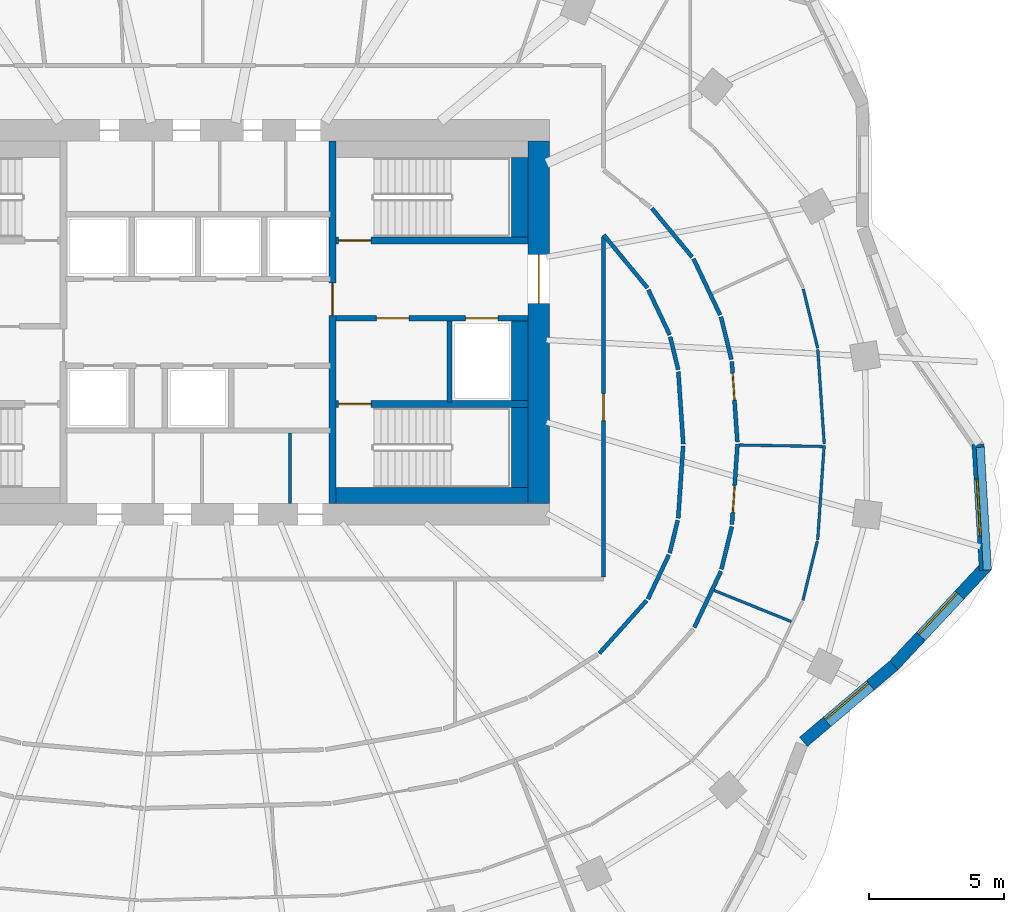
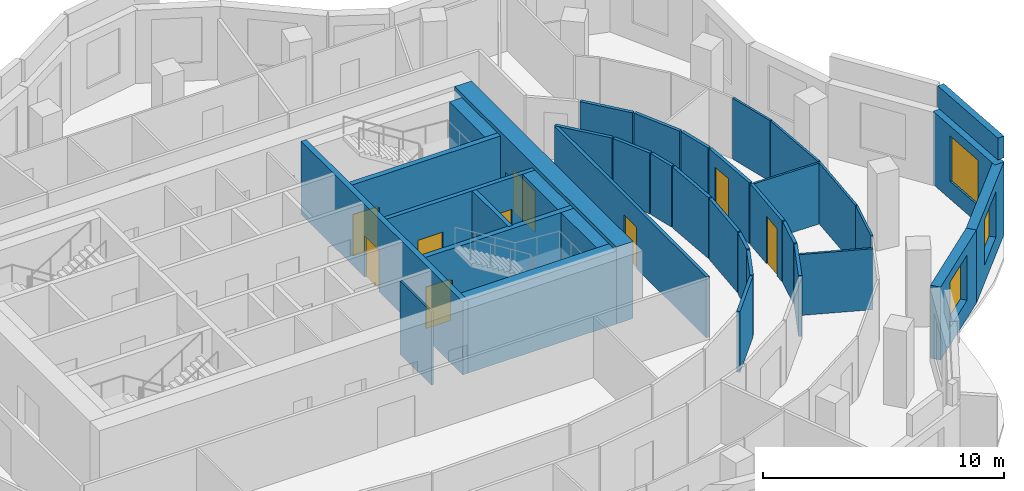
# One storey, part 8 of 13: 37 walls, 9 doors, 3 windows, 12 openings.
"""IFC4 building model written with IfcOpenShell, lengths in metres."""

import ifcopenshell
import ifcopenshell.guid

model = None  # the IFC model being written
_history = None  # IfcOwnerHistory: only IFC2X3 demands one
_inside = {}  # id of a spatial element -> (the spatial element, [elements in it])
_under = {}  # id of a project, library or spatial element -> (it, [spatial elements below it])
_declared = {}  # id of a project -> (the project, [libraries it declares])
_typed = {}  # id of a type object -> (the type object, [elements of that type])
_made_of = {}  # id of a material, layer set ... -> (it, [elements and type objects made of it])


def new_model(schema):
    """Start an empty IFC model of exactly this schema.

    Asked for "IFC4X3", IfcOpenShell would pick the latest addendum, in which some entities
    have other attributes; the version numbers below select the first issue.
    IFC2X3 requires an IfcOwnerHistory on every rooted entity: one is made here for all.
    """
    global model, _history
    if schema == "IFC4X3":
        model = ifcopenshell.file(schema_version=(4, 3, 0, 0))
    else:
        model = ifcopenshell.file(schema=schema)
    _inside.clear()
    _under.clear()
    _declared.clear()
    _typed.clear()
    _made_of.clear()
    _history = None
    if model.schema == "IFC2X3":
        org = make("IfcOrganization", Name="unknown")
        user = make(
            "IfcPersonAndOrganization",
            ThePerson=make("IfcPerson", FamilyName="unknown"),
            TheOrganization=org,
        )
        app = make(
            "IfcApplication",
            ApplicationDeveloper=org,
            Version="unknown",
            ApplicationFullName="unknown",
            ApplicationIdentifier="unknown",
        )
        _history = make(
            "IfcOwnerHistory",
            OwningUser=user,
            OwningApplication=app,
            ChangeAction="ADDED",
            CreationDate=0,
        )
    return model


def make(cls, **values):
    """One entity of the class cls with the attributes given. An attribute that is None is left unset."""
    return model.create_entity(
        cls, **{name: value for name, value in values.items() if value is not None}
    )


def rooted(cls, **values):
    """An entity with a GlobalId (a new one), such as an element, a storey or a relation."""
    return make(cls, GlobalId=ifcopenshell.guid.new(), OwnerHistory=_history, **values)


def si_unit(unit_type, name, prefix=None):
    """IfcSIUnit, for example si_unit("LENGTHUNIT", "METRE", prefix="MILLI")."""
    return make("IfcSIUnit", UnitType=unit_type, Prefix=prefix, Name=name)


def assignment(units):
    """IfcUnitAssignment: the units of a project."""
    return None if units is None else make("IfcUnitAssignment", Units=units)


def point(xyz):
    """IfcCartesianPoint."""
    return None if xyz is None else make("IfcCartesianPoint", Coordinates=xyz)


def direction(xyz):
    """IfcDirection."""
    return None if xyz is None else make("IfcDirection", DirectionRatios=xyz)


def frame(location, z_axis=None, x_axis=None):
    """IfcAxis2Placement3D, a coordinate frame: its origin and axes. An axis left out is left unset."""
    return make(
        "IfcAxis2Placement3D",
        Location=point(location),
        Axis=direction(z_axis),
        RefDirection=direction(x_axis),
    )


def frame_2d(location, x_axis=None):
    """IfcAxis2Placement2D, a coordinate frame in the plane: its origin and x axis."""
    return make(
        "IfcAxis2Placement2D", Location=point(location), RefDirection=direction(x_axis)
    )


def origin():
    """The frame at (0, 0, 0) with its axes left unset."""
    return frame((0.0, 0.0, 0.0))


def place(relative_to, where):
    """IfcLocalPlacement: puts the frame where relative to a parent placement (None: the world)."""
    return make(
        "IfcLocalPlacement", PlacementRelTo=relative_to, RelativePlacement=where
    )


def context(
    kind, dimensions, precision=None, world=None, true_north=None, identifier=None
):
    """IfcGeometricRepresentationContext, for example the 3D "Model" context."""
    return make(
        "IfcGeometricRepresentationContext",
        ContextIdentifier=identifier,
        ContextType=kind,
        CoordinateSpaceDimension=dimensions,
        Precision=precision,
        WorldCoordinateSystem=world,
        TrueNorth=true_north,
    )


def subcontext(parent, identifier, kind, view, scale=None):
    """IfcGeometricRepresentationSubContext, for example "Body" below "Model"."""
    return make(
        "IfcGeometricRepresentationSubContext",
        ContextIdentifier=identifier,
        ContextType=kind,
        ParentContext=parent,
        TargetScale=scale,
        TargetView=view,
    )


def project(units=None, contexts=None):
    """IfcProject with its units and contexts."""
    return rooted(
        "IfcProject",
        Name="project",
        RepresentationContexts=contexts,
        UnitsInContext=assignment(units),
    )


def spatial(cls, under=None, at=None, **own):
    """A site, building, storey or space (cls), placed at a placement, below another one or the project."""
    s = rooted(cls, ObjectPlacement=at, **own)
    if under is not None:
        _under.setdefault(under.id(), (under, []))[1].append(s)
    return s


def profile(cls, at=None, kind="AREA", **sizes):
    """A parametric profile (cls). Its sizes go by their IFC names, for example OverallWidth=200.0."""
    return make(cls, ProfileType=kind, Position=at, **sizes)


def rectangle(**sizes):
    """IfcRectangleProfileDef."""
    return profile("IfcRectangleProfileDef", **sizes)


def extrude(swept, where, along, depth):
    """IfcExtrudedAreaSolid: the profile swept, set in the frame where, extruded along a direction by depth."""
    return make(
        "IfcExtrudedAreaSolid",
        SweptArea=swept,
        Position=where,
        ExtrudedDirection=direction(along),
        Depth=depth,
    )


def shape(context_of_items, identifier, shape_type, items):
    """IfcShapeRepresentation: the items that make up one representation, for example the "Body"."""
    return make(
        "IfcShapeRepresentation",
        ContextOfItems=context_of_items,
        RepresentationIdentifier=identifier,
        RepresentationType=shape_type,
        Items=items,
    )


def material(Name=None, Category=None):
    """IfcMaterial."""
    return make("IfcMaterial", Name=Name, Category=Category)


def layer(
    of_material, thickness, ventilated=None, Name=None, Category=None, Priority=None
):
    """IfcMaterialLayer: one layer of a wall or slab, of a material (None: an air gap)."""
    return make(
        "IfcMaterialLayer",
        Material=of_material,
        LayerThickness=thickness,
        IsVentilated=ventilated,
        Name=Name,
        Category=Category,
        Priority=Priority,
    )


def layer_set(layers, Name=None):
    """IfcMaterialLayerSet."""
    return make("IfcMaterialLayerSet", MaterialLayers=layers, LayerSetName=Name)


def made_of(thing, what):
    """Note that an element or type object is made of a material, layer set ...; save() writes the relation."""
    if what is not None:
        _made_of.setdefault(what.id(), (what, []))[1].append(thing)
    return thing


def type_object(cls, material=None, **own):
    """A type object (cls), such as IfcWallType, which elements share."""
    return made_of(rooted(cls, **own), material)


def element(
    cls,
    number,
    at=None,
    inside=None,
    cuts=None,
    type_object=None,
    material=None,
    context=None,
    identifier="Body",
    shape_type=None,
    held_by="IfcProductDefinitionShape",
    body=None,
    shapes=None,
    **own,
):
    """One element of the class cls, such as IfcWall. Its Tag is "e" and its number.

    at: its placement. inside: the storey or other place that contains it. cuts: it is an
    opening in that element (IfcRelVoidsElement). A single representation is given by context,
    identifier, shape_type and body (its items); several are given by shapes. held_by: the class
    of the entity that holds the representations. save() writes the other relations.
    """
    e = rooted(cls, Tag="e%d" % number, ObjectPlacement=at, **own)
    if body is not None:
        shapes = [shape(context, identifier, shape_type, body)]
    if shapes is not None:
        e.Representation = make(held_by, Representations=shapes)
    if inside is not None:
        _inside.setdefault(inside.id(), (inside, []))[1].append(e)
    if cuts is not None:
        rooted(
            "IfcRelVoidsElement", RelatingBuildingElement=cuts, RelatedOpeningElement=e
        )
    if type_object is not None:
        _typed.setdefault(type_object.id(), (type_object, []))[1].append(e)
    return made_of(e, material)


def fill(opening, filler):
    """IfcRelFillsElement: the door or window that sits in an opening."""
    return rooted(
        "IfcRelFillsElement",
        RelatingOpeningElement=opening,
        RelatedBuildingElement=filler,
    )


def aggregate(whole, parts):
    """IfcRelAggregates: a whole, such as a stair, and the parts it consists of."""
    return rooted("IfcRelAggregates", RelatingObject=whole, RelatedObjects=parts)


def save(model, path):
    """Write the relations noted so far, then the file.

    IfcRelAggregates (storeys below a building ...), IfcRelContainedInSpatialStructure (elements
    in a storey), IfcRelDefinesByType, IfcRelAssociatesMaterial and IfcRelDeclares: one each for
    every whole, place, type object, material and project.
    """
    for whole, parts in _under.values():
        aggregate(whole, parts)
    for where, things in _inside.values():
        rooted(
            "IfcRelContainedInSpatialStructure",
            RelatedElements=things,
            RelatingStructure=where,
        )
    for kind, things in _typed.values():
        rooted("IfcRelDefinesByType", RelatedObjects=things, RelatingType=kind)
    for what, things in _made_of.values():
        rooted("IfcRelAssociatesMaterial", RelatedObjects=things, RelatingMaterial=what)
    for by, libraries in _declared.values():
        rooted("IfcRelDeclares", RelatingContext=by, RelatedDefinitions=libraries)
    model.write(path)


model = new_model("IFC4")

# Units and contexts
model_context = context("Model", 3, precision=1e-05, world=origin(), true_north=direction((0.0, 1.0)))
body_context = subcontext(model_context, "Body", "Model", "MODEL_VIEW")
ifc_project = project(units=[si_unit("LENGTHUNIT", "METRE"), si_unit("AREAUNIT", "SQUARE_METRE"), si_unit("VOLUMEUNIT", "CUBIC_METRE"), si_unit("PLANEANGLEUNIT", "RADIAN"), si_unit("MASSUNIT", "GRAM", prefix="KILO")], contexts=[model_context])

# Site, building, storey
site_placement = place(None, origin())
site = spatial("IfcSite", under=ifc_project, at=site_placement, CompositionType="ELEMENT")
building_placement = place(site_placement, origin())
building = spatial("IfcBuilding", under=site, at=building_placement, Name="Rubra Terraces Tower", CompositionType="ELEMENT")
storey_placement = place(building_placement, frame((0.0, 0.0, 209.10009765625)))
storey = spatial("IfcBuildingStorey", under=building, at=storey_placement, Name="L51", CompositionType="ELEMENT", Elevation=209.10009765625)

# Wall, opening, window
ifc_material_1 = material(Name="Brick masonry red-brown", Category="masonry")
ifc_layer_1 = layer(ifc_material_1, 0.449951171875)
ifc_layer_set_1 = layer_set([ifc_layer_1], Name="Brick masonry red-brown")
wall_type_1 = type_object("IfcWallType", Name="Brick facade wall 450", PredefinedType="SOLIDWALL", material=ifc_layer_set_1)
wall_1_placement = place(storey_placement, frame((22.385986328125, -11.014404296875, 0.0), z_axis=(0.0, 0.0, 1.0), x_axis=(0.763569952162, 0.645725118108, 0.0)))
wall_1 = element("IfcWall", 1, at=wall_1_placement, inside=storey, type_object=wall_type_1, Name="Facade wall L51 bay 38", PredefinedType="SOLIDWALL", context=body_context, shape_type="SweptSolid", body=[
    extrude(rectangle(XDim=4.3857421875, YDim=0.449951171875, at=frame_2d((2.19287109375, 0.0))), origin(), (0.0, 0.0, 1.0), 3.699951171875),
])
opening_1_placement = place(wall_1_placement, frame((1.14306640625, 0.0, 0.89990234375)))
opening_1 = element("IfcOpeningElement", 2, at=opening_1_placement, cuts=wall_1, Name="Opening W1B", PredefinedType="OPENING", context=body_context, shape_type="SweptSolid", body=[
    extrude(rectangle(XDim=2.10009765625, YDim=2.300048828125, at=frame_2d((1.050048828125, 1.14990234375))), frame((0.0, 0.23486328125, 0.0), z_axis=(0.0, -1.0, 0.0), x_axis=(1.0, 0.0, 0.0)), (0.0, 0.0, 1.0), 0.469970703125),
])
ifc_material_2 = material(Name="Clear glass in aluminium frame", Category="aluminium")
window_type = type_object("IfcWindowType", Name="Fixed deep-set window tall storey 2100 x 2300", PartitioningType="SINGLE_PANEL", PredefinedType="WINDOW", material=ifc_material_2)
window_1_placement = place(opening_1_placement, origin())
window_1 = element("IfcWindow", 3, at=window_1_placement, inside=storey, type_object=window_type, Name="Window L51 bay 38", OverallHeight=2.300048828125, OverallWidth=2.10009765625, PartitioningType="SINGLE_PANEL", PredefinedType="WINDOW", context=body_context, shape_type="SweptSolid", body=[
    extrude(rectangle(XDim=2.10009765625, YDim=2.300048828125, at=frame_2d((1.050048828125, 1.14990234375))), frame((0.0, 0.135009765625, 0.0), z_axis=(0.0, -1.0, 0.0), x_axis=(1.0, 0.0, 0.0)), (0.0, 0.0, 1.0), 0.06005859375),
])
fill(opening_1, window_1)

wall_2_placement = place(storey_placement, frame((25.716796875, -8.20068359375, 0.0), z_axis=(0.0, 0.0, 1.0), x_axis=(0.681990073025, 0.731361429319, 0.0)))
wall_2 = element("IfcWall", 4, at=wall_2_placement, inside=storey, type_object=wall_type_1, Name="Facade wall L51 bay 39", PredefinedType="SOLIDWALL", context=body_context, shape_type="SweptSolid", body=[
    extrude(rectangle(XDim=5.063720703125, YDim=0.449951171875, at=frame_2d((2.53173828125, 0.0))), origin(), (0.0, 0.0, 1.0), 3.699951171875),
])
opening_2_placement = place(wall_2_placement, frame((1.481689453125, 0.0, 0.89990234375)))
opening_2 = element("IfcOpeningElement", 5, at=opening_2_placement, cuts=wall_2, Name="Opening W1B", PredefinedType="OPENING", context=body_context, shape_type="SweptSolid", body=[
    extrude(rectangle(XDim=2.10009765625, YDim=2.300048828125, at=frame_2d((1.050048828125, 1.14990234375))), frame((0.0, 0.23486328125, 0.0), z_axis=(0.0, -1.0, 0.0), x_axis=(1.0, 0.0, 0.0)), (0.0, 0.0, 1.0), 0.469970703125),
])
window_2_placement = place(opening_2_placement, origin())
window_2 = element("IfcWindow", 6, at=window_2_placement, inside=storey, type_object=window_type, Name="Window L51 bay 39", OverallHeight=2.300048828125, OverallWidth=2.10009765625, PartitioningType="SINGLE_PANEL", PredefinedType="WINDOW", context=body_context, shape_type="SweptSolid", body=[
    extrude(rectangle(XDim=2.10009765625, YDim=2.300048828125, at=frame_2d((1.050048828125, 1.14990234375))), frame((0.0, 0.135009765625, 0.0), z_axis=(0.0, -1.0, 0.0), x_axis=(1.0, 0.0, 0.0)), (0.0, 0.0, 1.0), 0.06005859375),
])
fill(opening_2, window_2)

wall_3_placement = place(storey_placement, frame((29.11328125, -4.66015625, 0.0), z_axis=(0.0, 0.0, 1.0), x_axis=(-0.058217785859, 0.998303906338, 0.0)))
wall_3 = element("IfcWall", 7, at=wall_3_placement, inside=storey, type_object=wall_type_1, Name="Facade wall L51 bay 40", PredefinedType="SOLIDWALL", context=body_context, shape_type="SweptSolid", body=[
    extrude(rectangle(XDim=4.65478515625, YDim=0.449951171875, at=frame_2d((2.327392578125, 0.0))), origin(), (0.0, 0.0, 1.0), 3.699951171875),
])
opening_3_placement = place(wall_3_placement, frame((1.27734375, 0.0, 0.89990234375)))
opening_3 = element("IfcOpeningElement", 8, at=opening_3_placement, cuts=wall_3, Name="Opening W1B", PredefinedType="OPENING", context=body_context, shape_type="SweptSolid", body=[
    extrude(rectangle(XDim=2.10009765625, YDim=2.300048828125, at=frame_2d((1.050048828125, 1.14990234375))), frame((0.0, 0.23486328125, 0.0), z_axis=(0.0, -1.0, 0.0), x_axis=(1.0, 0.0, 0.0)), (0.0, 0.0, 1.0), 0.469970703125),
])
window_3_placement = place(opening_3_placement, origin())
window_3 = element("IfcWindow", 9, at=window_3_placement, inside=storey, type_object=window_type, Name="Window L51 bay 40", OverallHeight=2.300048828125, OverallWidth=2.10009765625, PartitioningType="SINGLE_PANEL", PredefinedType="WINDOW", context=body_context, shape_type="SweptSolid", body=[
    extrude(rectangle(XDim=2.10009765625, YDim=2.300048828125, at=frame_2d((1.050048828125, 1.14990234375))), frame((0.0, 0.135009765625, 0.0), z_axis=(0.0, -1.0, 0.0), x_axis=(1.0, 0.0, 0.0)), (0.0, 0.0, 1.0), 0.06005859375),
])
fill(opening_3, window_3)

# Wall
ifc_layer_2 = layer(ifc_material_1, 0.300048828125)
ifc_layer_set_2 = layer_set([ifc_layer_2], Name="Brick masonry red-brown")
wall_type_2 = type_object("IfcWallType", Name="Brick parapet 300", PredefinedType="PARAPET", material=ifc_layer_set_2)
wall_4_placement = place(storey_placement, frame((29.188232421875, -4.65576171875, 3.89990234375), z_axis=(0.0, 0.0, 1.0), x_axis=(-0.058230319325, 0.998303175349, 0.0)))
element("IfcWall", 10, at=wall_4_placement, inside=storey, type_object=wall_type_2, Name="Parapet L51 bay 40", PredefinedType="PARAPET", context=body_context, shape_type="SweptSolid", body=[
    extrude(rectangle(XDim=4.540771484375, YDim=0.300048828125, at=frame_2d((2.2705078125, 0.0))), origin(), (0.0, 0.0, 1.0), 1.10009765625),
])

# Wall, opening, door
ifc_material_3 = material(Name="Concrete C50", Category="concrete")
ifc_layer_3 = layer(ifc_material_3, 0.800048828125)
ifc_layer_set_3 = layer_set([ifc_layer_3], Name="Concrete C50")
wall_type_3 = type_object("IfcWallType", Name="CORE WALL 800 C50", PredefinedType="SHEAR", material=ifc_layer_set_3)
wall_5_placement = place(storey_placement, frame((12.60009765625, -2.199951171875, 0.0), z_axis=(0.0, 0.0, 1.0), x_axis=(0.0, 1.0, 0.0)))
wall_5 = element("IfcWall", 11, at=wall_5_placement, inside=storey, type_object=wall_type_3, Name="CORE WALL E L51", PredefinedType="SHEAR", context=body_context, shape_type="SweptSolid", body=[
    extrude(rectangle(XDim=13.39990234375, YDim=0.800048828125, at=frame_2d((6.699951171875, 0.0))), origin(), (0.0, 0.0, 1.0), 3.89990234375),
])
opening_4_placement = place(wall_5_placement, frame((7.39990234375, 0.0, 0.0)))
opening_4 = element("IfcOpeningElement", 12, at=opening_4_placement, cuts=wall_5, Name="Opening L51.C02", PredefinedType="OPENING", context=body_context, shape_type="SweptSolid", body=[
    extrude(rectangle(XDim=1.800048828125, YDim=2.10009765625, at=frame_2d((0.89990234375, 1.050048828125))), frame((0.0, 0.409912109375, 0.0), z_axis=(0.0, -1.0, 0.0), x_axis=(1.0, 0.0, 0.0)), (0.0, 0.0, 1.0), 0.820068359375),
])
ifc_material_4 = material(Name="Painted steel", Category="steel")
door_type_1 = type_object("IfcDoorType", Name="Fire door 1800x2100 double", OperationType="NOTDEFINED", PredefinedType="DOOR", material=ifc_material_4)
door_1_placement = place(opening_4_placement, origin())
door_1 = element("IfcDoor", 13, at=door_1_placement, inside=storey, type_object=door_type_1, Name="Core entrance door FF2", OperationType="DOUBLE_DOOR_SINGLE_SWING", OverallHeight=2.10009765625, OverallWidth=1.800048828125, PredefinedType="DOOR", context=body_context, shape_type="SweptSolid", body=[
    extrude(rectangle(XDim=1.800048828125, YDim=2.10009765625, at=frame_2d((0.89990234375, 1.050048828125))), frame((0.0, 0.02490234375, 0.0), z_axis=(0.0, -1.0, 0.0), x_axis=(1.0, 0.0, 0.0)), (0.0, 0.0, 1.0), 0.050048828125),
])
fill(opening_4, door_1)

# Walls
ifc_material_5 = material(Name="Plasterboard on steel stud, mineral wool infill", Category="steel")
ifc_layer_4 = layer(ifc_material_5, 0.14990234375)
ifc_layer_set_4 = layer_set([ifc_layer_4], Name="Plasterboard on steel stud, mineral wool infill")
wall_type_4 = type_object("IfcWallType", Name="CORRIDOR PARTITION 150", PredefinedType="PARTITIONING", material=ifc_layer_set_4)
wall_6_placement = place(storey_placement, frame((18.35302734375, -6.78369140625, 0.0), z_axis=(0.0, 0.0, 1.0), x_axis=(0.428086344739, 0.903737838894, 0.0)))
element("IfcWall", 14, at=wall_6_placement, inside=storey, type_object=wall_type_4, Name="PARTITION", PredefinedType="PARTITIONING", context=body_context, shape_type="SweptSolid", body=[
    extrude(rectangle(XDim=2.299560546875, YDim=0.14990234375, at=frame_2d((1.14990234375, 0.0))), origin(), (0.0, 0.0, 1.0), 3.083984375),
])
wall_7_placement = place(storey_placement, frame((19.355224609375, -4.6328125, 0.0), z_axis=(0.0, 0.0, 1.0), x_axis=(0.236703930685, 0.971581828359, 0.0)))
element("IfcWall", 15, at=wall_7_placement, inside=storey, type_object=wall_type_4, Name="PARTITION", PredefinedType="PARTITIONING", context=body_context, shape_type="SweptSolid", body=[
    extrude(rectangle(XDim=1.62646484375, YDim=0.14990234375, at=frame_2d((0.813232421875, 0.0))), origin(), (0.0, 0.0, 1.0), 3.083984375),
])

# Wall, opening, door
wall_8_placement = place(storey_placement, frame((19.745361328125, -2.9775390625, 0.0), z_axis=(0.0, 0.0, 1.0), x_axis=(0.068142324, 0.997675610447, 0.0)))
wall_8 = element("IfcWall", 16, at=wall_8_placement, inside=storey, type_object=wall_type_4, Name="PARTITION", PredefinedType="PARTITIONING", context=body_context, shape_type="SweptSolid", body=[
    extrude(rectangle(XDim=2.984375, YDim=0.14990234375, at=frame_2d((1.4921875, 0.0))), origin(), (0.0, 0.0, 1.0), 3.083984375),
])
opening_5_placement = place(wall_8_placement, frame((0.449951171875, 0.0, 0.0)))
opening_5 = element("IfcOpeningElement", 17, at=opening_5_placement, cuts=wall_8, Name="Opening 51-109", PredefinedType="OPENING", context=body_context, shape_type="SweptSolid", body=[
    extrude(rectangle(XDim=1.0, YDim=2.39990234375, at=frame_2d((0.5, 1.199951171875))), frame((0.0, 0.0849609375, 0.0), z_axis=(0.0, -1.0, 0.0), x_axis=(1.0, 0.0, 0.0)), (0.0, 0.0, 1.0), 0.169921875),
])
ifc_material_6 = material(Name="Glazed aluminium meeting door leaf", Category="aluminium")
door_type_2 = type_object("IfcDoorType", Name="MEETING ROOM GLAZED DOOR 1000 X 2400", OperationType="SINGLE_SWING_LEFT", PredefinedType="DOOR", material=ifc_material_6)
door_2_placement = place(opening_5_placement, origin())
door_2 = element("IfcDoor", 18, at=door_2_placement, inside=storey, type_object=door_type_2, Name="DOOR 51-109", OperationType="SINGLE_SWING_RIGHT", OverallHeight=2.39990234375, OverallWidth=1.0, PredefinedType="DOOR", context=body_context, shape_type="SweptSolid", body=[
    extrude(rectangle(XDim=1.0, YDim=2.39990234375, at=frame_2d((0.5, 1.199951171875))), frame((0.0, 0.02490234375, 0.0), z_axis=(0.0, -1.0, 0.0), x_axis=(1.0, 0.0, 0.0)), (0.0, 0.0, 1.0), 0.050048828125),
])
fill(opening_5, door_2)

wall_9_placement = place(storey_placement, frame((19.943603515625, 0.07470703125, 0.0), z_axis=(0.0, 0.0, 1.0), x_axis=(-0.068136763128, 0.997675990245, 0.0)))
wall_9 = element("IfcWall", 19, at=wall_9_placement, inside=storey, type_object=wall_type_4, Name="PARTITION", PredefinedType="PARTITIONING", context=body_context, shape_type="SweptSolid", body=[
    extrude(rectangle(XDim=2.984619140625, YDim=0.14990234375, at=frame_2d((1.4921875, 0.0))), origin(), (0.0, 0.0, 1.0), 3.083984375),
])
opening_6_placement = place(wall_9_placement, frame((1.550048828125, 0.0, 0.0)))
opening_6 = element("IfcOpeningElement", 20, at=opening_6_placement, cuts=wall_9, Name="Opening 51-110", PredefinedType="OPENING", context=body_context, shape_type="SweptSolid", body=[
    extrude(rectangle(XDim=1.0, YDim=2.39990234375, at=frame_2d((0.5, 1.199951171875))), frame((0.0, 0.0849609375, 0.0), z_axis=(0.0, -1.0, 0.0), x_axis=(1.0, 0.0, 0.0)), (0.0, 0.0, 1.0), 0.169921875),
])
door_3_placement = place(opening_6_placement, origin())
door_3 = element("IfcDoor", 21, at=door_3_placement, inside=storey, type_object=door_type_2, Name="DOOR 51-110", OperationType="SINGLE_SWING_RIGHT", OverallHeight=2.39990234375, OverallWidth=1.0, PredefinedType="DOOR", context=body_context, shape_type="SweptSolid", body=[
    extrude(rectangle(XDim=1.0, YDim=2.39990234375, at=frame_2d((0.5, 1.199951171875))), frame((0.0, 0.02490234375, 0.0), z_axis=(0.0, -1.0, 0.0), x_axis=(1.0, 0.0, 0.0)), (0.0, 0.0, 1.0), 0.050048828125),
])
fill(opening_6, door_3)

# Walls
wall_10_placement = place(storey_placement, frame((19.722412109375, 3.125244140625, 0.0), z_axis=(0.0, 0.0, 1.0), x_axis=(-0.236703930685, 0.971581828359, 0.0)))
element("IfcWall", 22, at=wall_10_placement, inside=storey, type_object=wall_type_4, Name="PARTITION", PredefinedType="PARTITIONING", context=body_context, shape_type="SweptSolid", body=[
    extrude(rectangle(XDim=1.62646484375, YDim=0.14990234375, at=frame_2d((0.813232421875, 0.0))), origin(), (0.0, 0.0, 1.0), 3.083984375),
])
wall_11_placement = place(storey_placement, frame((19.305419921875, 4.7734375, 0.0), z_axis=(0.0, 0.0, 1.0), x_axis=(-0.428173054138, 0.903696760927, 0.0)))
element("IfcWall", 23, at=wall_11_placement, inside=storey, type_object=wall_type_4, Name="PARTITION", PredefinedType="PARTITIONING", context=body_context, shape_type="SweptSolid", body=[
    extrude(rectangle(XDim=2.299560546875, YDim=0.14990234375, at=frame_2d((1.14990234375, 0.0))), origin(), (0.0, 0.0, 1.0), 3.083984375),
])
wall_12_placement = place(storey_placement, frame((18.273193359375, 6.9091796875, 0.0), z_axis=(0.0, 0.0, 1.0), x_axis=(-0.63653648943, 0.771246586783, 0.0)))
element("IfcWall", 24, at=wall_12_placement, inside=storey, type_object=wall_type_4, Name="PARTITION", PredefinedType="PARTITIONING", context=body_context, shape_type="SweptSolid", body=[
    extrude(rectangle(XDim=2.341552734375, YDim=0.14990234375, at=frame_2d((1.1708984375, 0.0))), origin(), (0.0, 0.0, 1.0), 3.083984375),
])
wall_13_placement = place(storey_placement, frame((15.0, 7.73291015625, 0.0), z_axis=(0.0, 0.0, 1.0), x_axis=(0.636601263488, -0.771193121938, 0.0)))
element("IfcWall", 25, at=wall_13_placement, inside=storey, type_object=wall_type_4, Name="PARTITION", PredefinedType="PARTITIONING", context=body_context, shape_type="SweptSolid", body=[
    extrude(rectangle(XDim=2.544921875, YDim=0.14990234375, at=frame_2d((1.2724609375, 0.0))), origin(), (0.0, 0.0, 1.0), 3.083984375),
])
wall_14_placement = place(storey_placement, frame((16.652099609375, 5.702392578125, 0.0), z_axis=(0.0, 0.0, 1.0), x_axis=(0.428126129773, -0.903718992279, 0.0)))
element("IfcWall", 26, at=wall_14_placement, inside=storey, type_object=wall_type_4, Name="PARTITION", PredefinedType="PARTITIONING", context=body_context, shape_type="SweptSolid", body=[
    extrude(rectangle(XDim=1.846435546875, YDim=0.14990234375, at=frame_2d((0.92333984375, 0.0))), origin(), (0.0, 0.0, 1.0), 3.083984375),
])
wall_15_placement = place(storey_placement, frame((17.46044921875, 3.9609375, 0.0), z_axis=(0.0, 0.0, 1.0), x_axis=(0.236655249498, -0.971593687137, 0.0)))
element("IfcWall", 27, at=wall_15_placement, inside=storey, type_object=wall_type_4, Name="PARTITION", PredefinedType="PARTITIONING", context=body_context, shape_type="SweptSolid", body=[
    extrude(rectangle(XDim=1.25146484375, YDim=0.14990234375, at=frame_2d((0.625732421875, 0.0))), origin(), (0.0, 0.0, 1.0), 3.083984375),
])
wall_16_placement = place(storey_placement, frame((17.76171875, 2.67041015625, 0.0), z_axis=(0.0, 0.0, 1.0), x_axis=(0.068135311644, -0.997676089373, 0.0)))
element("IfcWall", 28, at=wall_16_placement, inside=storey, type_object=wall_type_4, Name="PARTITION", PredefinedType="PARTITIONING", context=body_context, shape_type="SweptSolid", body=[
    extrude(rectangle(XDim=2.676513671875, YDim=0.14990234375, at=frame_2d((1.33837890625, 0.0))), origin(), (0.0, 0.0, 1.0), 3.083984375),
])
wall_17_placement = place(storey_placement, frame((17.939208984375, -0.07470703125, 0.0), z_axis=(0.0, 0.0, 1.0), x_axis=(-0.068226099283, -0.99766988497, 0.0)))
element("IfcWall", 29, at=wall_17_placement, inside=storey, type_object=wall_type_4, Name="PARTITION", PredefinedType="PARTITIONING", context=body_context, shape_type="SweptSolid", body=[
    extrude(rectangle(XDim=2.6767578125, YDim=0.14990234375, at=frame_2d((1.33837890625, 0.0))), origin(), (0.0, 0.0, 1.0), 3.083984375),
])
wall_18_placement = place(storey_placement, frame((17.739013671875, -2.818115234375, 0.0), z_axis=(0.0, 0.0, 1.0), x_axis=(-0.236884307907, -0.971537865792, 0.0)))
element("IfcWall", 30, at=wall_18_placement, inside=storey, type_object=wall_type_4, Name="PARTITION", PredefinedType="PARTITIONING", context=body_context, shape_type="SweptSolid", body=[
    extrude(rectangle(XDim=1.251220703125, YDim=0.14990234375, at=frame_2d((0.62548828125, 0.0))), origin(), (0.0, 0.0, 1.0), 3.083984375),
])
wall_19_placement = place(storey_placement, frame((17.410400390625, -4.1015625, 0.0), z_axis=(0.0, 0.0, 1.0), x_axis=(-0.428074720318, -0.903743345107, 0.0)))
element("IfcWall", 31, at=wall_19_placement, inside=storey, type_object=wall_type_4, Name="PARTITION", PredefinedType="PARTITIONING", context=body_context, shape_type="SweptSolid", body=[
    extrude(rectangle(XDim=1.8056640625, YDim=0.14990234375, at=frame_2d((0.90283203125, 0.0))), origin(), (0.0, 0.0, 1.0), 3.083984375),
])
wall_20_placement = place(storey_placement, frame((16.58740234375, -5.789306640625, 0.0), z_axis=(0.0, 0.0, 1.0), x_axis=(-0.666887460656, -0.745158449472, 0.0)))
element("IfcWall", 32, at=wall_20_placement, inside=storey, type_object=wall_type_4, Name="PARTITION", PredefinedType="PARTITIONING", context=body_context, shape_type="SweptSolid", body=[
    extrude(rectangle(XDim=2.6201171875, YDim=0.14990234375, at=frame_2d((1.31005859375, 0.0))), origin(), (0.0, 0.0, 1.0), 3.083984375),
])

# Wall, opening, door
wall_21_placement = place(storey_placement, frame((15.0, -4.925048828125, 0.0), z_axis=(0.0, 0.0, 1.0), x_axis=(0.0, 1.0, 0.0)))
wall_21 = element("IfcWall", 33, at=wall_21_placement, inside=storey, type_object=wall_type_4, Name="PARTITION", PredefinedType="PARTITIONING", context=body_context, shape_type="SweptSolid", body=[
    extrude(rectangle(XDim=12.5830078125, YDim=0.14990234375, at=frame_2d((6.29150390625, 0.0))), origin(), (0.0, 0.0, 1.0), 3.083984375),
])
opening_7_placement = place(wall_21_placement, frame((5.791015625, 0.0, 0.0)))
opening_7 = element("IfcOpeningElement", 34, at=opening_7_placement, cuts=wall_21, Name="Opening 51-122", PredefinedType="OPENING", context=body_context, shape_type="SweptSolid", body=[
    extrude(rectangle(XDim=1.0, YDim=2.10009765625, at=frame_2d((0.5, 1.050048828125))), frame((0.0, 0.0849609375, 0.0), z_axis=(0.0, -1.0, 0.0), x_axis=(1.0, 0.0, 0.0)), (0.0, 0.0, 1.0), 0.169921875),
])
ifc_material_7 = material(Name="Painted timber door leaf", Category="wood")
door_type_3 = type_object("IfcDoorType", Name="ROOM DOOR 1000 X 2100", OperationType="SINGLE_SWING_LEFT", PredefinedType="DOOR", material=ifc_material_7)
door_4_placement = place(opening_7_placement, origin())
door_4 = element("IfcDoor", 35, at=door_4_placement, inside=storey, type_object=door_type_3, Name="DOOR 51-122", OperationType="SINGLE_SWING_RIGHT", OverallHeight=2.10009765625, OverallWidth=1.0, PredefinedType="DOOR", context=body_context, shape_type="SweptSolid", body=[
    extrude(rectangle(XDim=1.0, YDim=2.10009765625, at=frame_2d((0.5, 1.050048828125))), frame((0.0, 0.02490234375, 0.0), z_axis=(0.0, -1.0, 0.0), x_axis=(1.0, 0.0, 0.0)), (0.0, 0.0, 1.0), 0.050048828125),
])
fill(opening_7, door_4)

# Walls
ifc_material_8 = material(Name="Concrete C40", Category="concrete")
ifc_layer_5 = layer(ifc_material_8, 0.60009765625)
ifc_layer_set_5 = layer_set([ifc_layer_5], Name="Concrete C40")
wall_type_5 = type_object("IfcWallType", Name="Core lining wall 600 concrete", PredefinedType="SOLIDWALL", material=ifc_layer_set_5)
wall_22_placement = place(storey_placement, frame((11.89990234375, 10.60009765625, 0.0), z_axis=(0.0, 0.0, 1.0), x_axis=(0.0, -1.0, 0.0)))
element("IfcWall", 36, at=wall_22_placement, inside=storey, type_object=wall_type_5, Name="CORE LINING WALL L51", PredefinedType="SOLIDWALL", context=body_context, shape_type="SweptSolid", body=[
    extrude(rectangle(XDim=2.9501953125, YDim=0.60009765625, at=frame_2d((1.47509765625, 0.0))), origin(), (0.0, 0.0, 1.0), 3.699951171875),
])
wall_23_placement = place(storey_placement, frame((11.89990234375, 4.550048828125, 0.0), z_axis=(0.0, 0.0, 1.0), x_axis=(0.0, -1.0, 0.0)))
element("IfcWall", 37, at=wall_23_placement, inside=storey, type_object=wall_type_5, Name="CORE LINING WALL L51", PredefinedType="SOLIDWALL", context=body_context, shape_type="SweptSolid", body=[
    extrude(rectangle(XDim=3.0, YDim=0.60009765625, at=frame_2d((1.5, 0.0))), origin(), (0.0, 0.0, 1.0), 3.699951171875),
])
wall_24_placement = place(storey_placement, frame((11.89990234375, 1.35009765625, 0.0), z_axis=(0.0, 0.0, 1.0), x_axis=(0.0, -1.0, 0.0)))
element("IfcWall", 38, at=wall_24_placement, inside=storey, type_object=wall_type_5, Name="CORE LINING WALL L51", PredefinedType="SOLIDWALL", context=body_context, shape_type="SweptSolid", body=[
    extrude(rectangle(XDim=2.9501953125, YDim=0.60009765625, at=frame_2d((1.47509765625, 0.0))), origin(), (0.0, 0.0, 1.0), 3.699951171875),
])
wall_25_placement = place(storey_placement, frame((12.199951171875, -1.89990234375, 0.0), z_axis=(0.0, 0.0, 1.0), x_axis=(-1.0, 0.0, 0.0)))
element("IfcWall", 39, at=wall_25_placement, inside=storey, type_object=wall_type_5, Name="CORE LINING WALL L51", PredefinedType="SOLIDWALL", context=body_context, shape_type="SweptSolid", body=[
    extrude(rectangle(XDim=7.099853515625, YDim=0.60009765625, at=frame_2d((3.5498046875, 0.0))), origin(), (0.0, 0.0, 1.0), 3.699951171875),
])

# Wall, openings, doors
ifc_material_9 = material(Name="Concrete C30", Category="concrete")
ifc_layer_6 = layer(ifc_material_9, 0.199951171875)
ifc_layer_set_6 = layer_set([ifc_layer_6], Name="Concrete C30")
wall_type_6 = type_object("IfcWallType", Name="Core wall 200 concrete", PredefinedType="SOLIDWALL", material=ifc_layer_set_6)
wall_26_placement = place(storey_placement, frame((12.199951171875, 4.64990234375, 0.0), z_axis=(0.0, 0.0, 1.0), x_axis=(-1.0, 0.0, 0.0)))
wall_26 = element("IfcWall", 40, at=wall_26_placement, inside=storey, type_object=wall_type_6, Name="STAIR WALL L51", PredefinedType="SOLIDWALL", context=body_context, shape_type="SweptSolid", body=[
    extrude(rectangle(XDim=7.099853515625, YDim=0.199951171875, at=frame_2d((3.5498046875, 0.0))), origin(), (0.0, 0.0, 1.0), 3.699951171875),
])
opening_8_placement = place(wall_26_placement, frame((4.39990234375, 0.0, 0.0)))
opening_8 = element("IfcOpeningElement", 41, at=opening_8_placement, cuts=wall_26, Name="Opening L51.C06", PredefinedType="OPENING", context=body_context, shape_type="SweptSolid", body=[
    extrude(rectangle(XDim=1.199951171875, YDim=2.10009765625, at=frame_2d((0.60009765625, 1.050048828125))), frame((0.0, 0.10986328125, 0.0), z_axis=(0.0, -1.0, 0.0), x_axis=(1.0, 0.0, 0.0)), (0.0, 0.0, 1.0), 0.219970703125),
])
opening_9_placement = place(wall_26_placement, frame((1.10009765625, 0.0, 0.0)))
opening_9 = element("IfcOpeningElement", 42, at=opening_9_placement, cuts=wall_26, Name="Opening L51.C12", PredefinedType="OPENING", context=body_context, shape_type="SweptSolid", body=[
    extrude(rectangle(XDim=1.199951171875, YDim=2.10009765625, at=frame_2d((0.60009765625, 1.050048828125))), frame((0.0, 0.10986328125, 0.0), z_axis=(0.0, -1.0, 0.0), x_axis=(1.0, 0.0, 0.0)), (0.0, 0.0, 1.0), 0.219970703125),
])
door_type_4 = type_object("IfcDoorType", Name="Fire door 1200x2100 single", OperationType="NOTDEFINED", PredefinedType="DOOR", material=ifc_material_4)
door_5_placement = place(opening_8_placement, origin())
door_5 = element("IfcDoor", 43, at=door_5_placement, inside=storey, type_object=door_type_4, Name="Stair vestibule door S4", OperationType="SINGLE_SWING_RIGHT", OverallHeight=2.10009765625, OverallWidth=1.199951171875, PredefinedType="DOOR", context=body_context, shape_type="SweptSolid", body=[
    extrude(rectangle(XDim=1.199951171875, YDim=2.10009765625, at=frame_2d((0.60009765625, 1.050048828125))), frame((0.0, 0.02490234375, 0.0), z_axis=(0.0, -1.0, 0.0), x_axis=(1.0, 0.0, 0.0)), (0.0, 0.0, 1.0), 0.050048828125),
])
fill(opening_8, door_5)
ifc_material_10 = material(Name="Stainless steel", Category="steel")
door_type_5 = type_object("IfcDoorType", Name="Lift landing door 1200x2100", OperationType="NOTDEFINED", PredefinedType="DOOR", material=ifc_material_10)
door_6_placement = place(opening_9_placement, origin())
door_6 = element("IfcDoor", 44, at=door_6_placement, inside=storey, type_object=door_type_5, Name="Landing door FF2", OperationType="SLIDING_TO_RIGHT", OverallHeight=2.10009765625, OverallWidth=1.199951171875, PredefinedType="DOOR", context=body_context, shape_type="SweptSolid", body=[
    extrude(rectangle(XDim=1.199951171875, YDim=2.10009765625, at=frame_2d((0.60009765625, 1.050048828125))), frame((0.0, 0.02490234375, 0.0), z_axis=(0.0, -1.0, 0.0), x_axis=(1.0, 0.0, 0.0)), (0.0, 0.0, 1.0), 0.050048828125),
])
fill(opening_9, door_6)

# Walls
wall_27_placement = place(storey_placement, frame((9.300048828125, 4.550048828125, 0.0), z_axis=(0.0, 0.0, 1.0), x_axis=(0.0, -1.0, 0.0)))
element("IfcWall", 45, at=wall_27_placement, inside=storey, type_object=wall_type_6, Name="STAIR WALL L51", PredefinedType="SOLIDWALL", context=body_context, shape_type="SweptSolid", body=[
    extrude(rectangle(XDim=3.0, YDim=0.199951171875, at=frame_2d((1.5, 0.0))), origin(), (0.0, 0.0, 1.0), 3.699951171875),
])
ifc_material_11 = material(Name="Plasterboard on steel stud", Category="steel")
ifc_layer_7 = layer(ifc_material_11, 0.10009765625)
ifc_layer_set_7 = layer_set([ifc_layer_7], Name="Plasterboard on steel stud")
wall_type_7 = type_object("IfcWallType", Name="ROOM PARTITION 100", PredefinedType="PARTITIONING", material=ifc_layer_set_7)
wall_28_placement = place(storey_placement, frame((22.380859375, 5.73193359375, 0.0), z_axis=(0.0, 0.0, 1.0), x_axis=(0.236843888063, -0.971547720232, 0.0)))
element("IfcWall", 46, at=wall_28_placement, inside=storey, type_object=wall_type_7, Name="PARTITION", PredefinedType="PARTITIONING", context=body_context, shape_type="SweptSolid", body=[
    extrude(rectangle(XDim=2.252197265625, YDim=0.10009765625, at=frame_2d((1.1259765625, 0.0))), origin(), (0.0, 0.0, 1.0), 3.083984375),
])
for number, where, z_axis, x_axis, name in (
    (47, (22.91748046875, 3.493896484375, 0.0), (0.0, 0.0, 1.0), (0.068180017361, -0.997673035234, 0.0), "PARTITION"),
    (48, (23.15283203125, -0.0498046875, 0.0), (0.0, 0.0, 1.0), (-0.068110627213, -0.997677774866, 0.0), "PARTITION"),
):
    element("IfcWall", number, at=place(storey_placement, frame(where, z_axis=z_axis, x_axis=x_axis)), inside=storey, type_object=wall_type_7, Name=name, PredefinedType="PARTITIONING", context=body_context, shape_type="SweptSolid", body=[
        extrude(rectangle(XDim=3.501953125, YDim=0.10009765625, at=frame_2d((1.7509765625, 0.0))), origin(), (0.0, 0.0, 1.0), 3.083984375),
    ])
wall_29_placement = place(storey_placement, frame((22.90234375, -3.59228515625, 0.0), z_axis=(0.0, 0.0, 1.0), x_axis=(-0.236741569192, -0.971572657816, 0.0)))
element("IfcWall", 49, at=wall_29_placement, inside=storey, type_object=wall_type_7, Name="PARTITION", PredefinedType="PARTITIONING", context=body_context, shape_type="SweptSolid", body=[
    extrude(rectangle(XDim=2.252197265625, YDim=0.10009765625, at=frame_2d((1.1259765625, 0.0))), origin(), (0.0, 0.0, 1.0), 3.083984375),
])
wall_30_placement = place(storey_placement, frame((19.084716796875, -5.4140625, 0.0), z_axis=(0.0, 0.0, 1.0), x_axis=(0.92742905762, -0.373999121766, 0.0)))
element("IfcWall", 50, at=wall_30_placement, inside=storey, type_object=wall_type_7, Name="PARTITION", PredefinedType="PARTITIONING", context=body_context, shape_type="SweptSolid", body=[
    extrude(rectangle(XDim=3.08056640625, YDim=0.10009765625, at=frame_2d((1.540283203125, 0.0))), origin(), (0.0, 0.0, 1.0), 3.083984375),
])
wall_31_placement = place(storey_placement, frame((20.021240234375, -0.03857421875, 0.0), z_axis=(0.0, 0.0, 1.0), x_axis=(0.999854704149, -0.017046131266, 0.0)))
element("IfcWall", 51, at=wall_31_placement, inside=storey, type_object=wall_type_7, Name="PARTITION", PredefinedType="PARTITIONING", context=body_context, shape_type="SweptSolid", body=[
    extrude(rectangle(XDim=3.079345703125, YDim=0.10009765625, at=frame_2d((1.53955078125, 0.0))), origin(), (0.0, 0.0, 1.0), 3.083984375),
])
ifc_material_12 = material(Name="Blockwork", Category="masonry")
ifc_layer_8 = layer(ifc_material_12, 0.10009765625)
ifc_layer_set_8 = layer_set([ifc_layer_8], Name="Blockwork")
wall_type_8 = type_object("IfcWallType", Name="Service partition 100 blockwork", PredefinedType="PARTITIONING", material=ifc_layer_set_8)
wall_32_placement = place(storey_placement, frame((3.39990234375, -2.199951171875, 0.0), z_axis=(0.0, 0.0, 1.0), x_axis=(0.0, 1.0, 0.0)))
element("IfcWall", 52, at=wall_32_placement, inside=storey, type_object=wall_type_8, Name="SERVICE ROOM PARTITION L51", PredefinedType="PARTITIONING", context=body_context, shape_type="SweptSolid", body=[
    extrude(rectangle(XDim=2.599853515625, YDim=0.10009765625, at=frame_2d((1.2998046875, 0.0))), origin(), (0.0, 0.0, 1.0), 3.699951171875),
])

# Wall, opening, door
ifc_layer_9 = layer(ifc_material_8, 0.25)
ifc_layer_set_9 = layer_set([ifc_layer_9], Name="Concrete C40")
wall_type_9 = type_object("IfcWallType", Name="Stair enclosure wall 250 concrete", PredefinedType="SOLIDWALL", material=ifc_layer_set_9)
wall_33_placement = place(storey_placement, frame((12.199951171875, 7.52490234375, 0.0), z_axis=(0.0, 0.0, 1.0), x_axis=(-1.0, 0.0, 0.0)))
wall_33 = element("IfcWall", 53, at=wall_33_placement, inside=storey, type_object=wall_type_9, Name="STAIR WALL L51", PredefinedType="SOLIDWALL", context=body_context, shape_type="SweptSolid", body=[
    extrude(rectangle(XDim=7.099853515625, YDim=0.25, at=frame_2d((3.5498046875, 0.0))), origin(), (0.0, 0.0, 1.0), 3.699951171875),
])
opening_10_placement = place(wall_33_placement, frame((5.800048828125, 0.0, 0.0)))
opening_10 = element("IfcOpeningElement", 54, at=opening_10_placement, cuts=wall_33, Name="Opening L51.C08", PredefinedType="OPENING", context=body_context, shape_type="SweptSolid", body=[
    extrude(rectangle(XDim=1.199951171875, YDim=2.10009765625, at=frame_2d((0.60009765625, 1.050048828125))), frame((0.0, 0.135009765625, 0.0), z_axis=(0.0, -1.0, 0.0), x_axis=(1.0, 0.0, 0.0)), (0.0, 0.0, 1.0), 0.27001953125),
])
door_7_placement = place(opening_10_placement, origin())
door_7 = element("IfcDoor", 55, at=door_7_placement, inside=storey, type_object=door_type_4, Name="Stair door S3", OperationType="SINGLE_SWING_RIGHT", OverallHeight=2.10009765625, OverallWidth=1.199951171875, PredefinedType="DOOR", context=body_context, shape_type="SweptSolid", body=[
    extrude(rectangle(XDim=1.199951171875, YDim=2.10009765625, at=frame_2d((0.60009765625, 1.050048828125))), frame((0.0, 0.02490234375, 0.0), z_axis=(0.0, -1.0, 0.0), x_axis=(1.0, 0.0, 0.0)), (0.0, 0.0, 1.0), 0.050048828125),
])
fill(opening_10, door_7)

wall_34_placement = place(storey_placement, frame((12.199951171875, 1.47509765625, 0.0), z_axis=(0.0, 0.0, 1.0), x_axis=(-1.0, 0.0, 0.0)))
wall_34 = element("IfcWall", 56, at=wall_34_placement, inside=storey, type_object=wall_type_9, Name="STAIR WALL L51", PredefinedType="SOLIDWALL", context=body_context, shape_type="SweptSolid", body=[
    extrude(rectangle(XDim=7.099853515625, YDim=0.25, at=frame_2d((3.5498046875, 0.0))), origin(), (0.0, 0.0, 1.0), 3.699951171875),
])
opening_11_placement = place(wall_34_placement, frame((5.800048828125, 0.0, 0.0)))
opening_11 = element("IfcOpeningElement", 57, at=opening_11_placement, cuts=wall_34, Name="Opening L51.C10", PredefinedType="OPENING", context=body_context, shape_type="SweptSolid", body=[
    extrude(rectangle(XDim=1.199951171875, YDim=2.10009765625, at=frame_2d((0.60009765625, 1.050048828125))), frame((0.0, 0.135009765625, 0.0), z_axis=(0.0, -1.0, 0.0), x_axis=(1.0, 0.0, 0.0)), (0.0, 0.0, 1.0), 0.27001953125),
])
door_8_placement = place(opening_11_placement, origin())
door_8 = element("IfcDoor", 58, at=door_8_placement, inside=storey, type_object=door_type_4, Name="Stair door S4", OperationType="SINGLE_SWING_RIGHT", OverallHeight=2.10009765625, OverallWidth=1.199951171875, PredefinedType="DOOR", context=body_context, shape_type="SweptSolid", body=[
    extrude(rectangle(XDim=1.199951171875, YDim=2.10009765625, at=frame_2d((0.60009765625, 1.050048828125))), frame((0.0, 0.02490234375, 0.0), z_axis=(0.0, -1.0, 0.0), x_axis=(1.0, 0.0, 0.0)), (0.0, 0.0, 1.0), 0.050048828125),
])
fill(opening_11, door_8)

wall_35_placement = place(storey_placement, frame((4.97509765625, 11.199951171875, 0.0), z_axis=(0.0, 0.0, 1.0), x_axis=(0.0, -1.0, 0.0)))
wall_35 = element("IfcWall", 59, at=wall_35_placement, inside=storey, type_object=wall_type_9, Name="CORE LOBBY WALL L51", PredefinedType="SOLIDWALL", context=body_context, shape_type="SweptSolid", body=[
    extrude(rectangle(XDim=13.39990234375, YDim=0.25, at=frame_2d((6.699951171875, 0.0))), origin(), (0.0, 0.0, 1.0), 3.699951171875),
])
opening_12_placement = place(wall_35_placement, frame((5.25, 0.0, 0.0)))
opening_12 = element("IfcOpeningElement", 60, at=opening_12_placement, cuts=wall_35, Name="Opening L51.C04", PredefinedType="OPENING", context=body_context, shape_type="SweptSolid", body=[
    extrude(rectangle(XDim=1.199951171875, YDim=2.10009765625, at=frame_2d((0.60009765625, 1.050048828125))), frame((0.0, 0.135009765625, 0.0), z_axis=(0.0, -1.0, 0.0), x_axis=(1.0, 0.0, 0.0)), (0.0, 0.0, 1.0), 0.27001953125),
])
door_9_placement = place(opening_12_placement, origin())
door_9 = element("IfcDoor", 61, at=door_9_placement, inside=storey, type_object=door_type_4, Name="Firefighting lobby door FF2", OperationType="SINGLE_SWING_RIGHT", OverallHeight=2.10009765625, OverallWidth=1.199951171875, PredefinedType="DOOR", context=body_context, shape_type="SweptSolid", body=[
    extrude(rectangle(XDim=1.199951171875, YDim=2.10009765625, at=frame_2d((0.60009765625, 1.050048828125))), frame((0.0, 0.02490234375, 0.0), z_axis=(0.0, -1.0, 0.0), x_axis=(1.0, 0.0, 0.0)), (0.0, 0.0, 1.0), 0.050048828125),
])
fill(opening_12, door_9)

save(model, "model.ifc")
